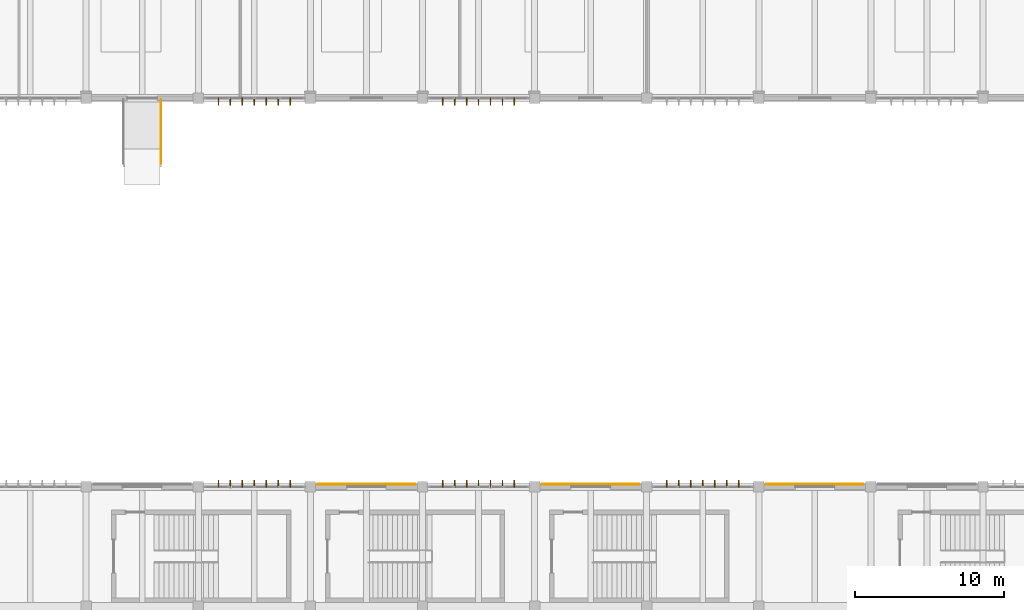
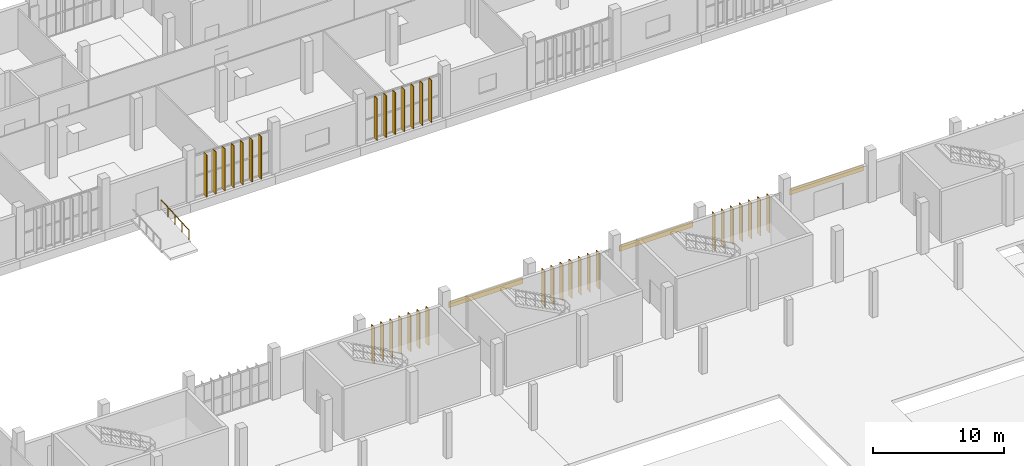
# One storey, part 65 of 72: 35 shading devices, 3 coverings, 1 railing.
"""IFC4 building model written with IfcOpenShell, lengths in metres."""

import ifcopenshell
import ifcopenshell.guid

model = None  # the IFC model being written
_history = None  # IfcOwnerHistory: only IFC2X3 demands one
_inside = {}  # id of a spatial element -> (the spatial element, [elements in it])
_under = {}  # id of a project, library or spatial element -> (it, [spatial elements below it])
_declared = {}  # id of a project -> (the project, [libraries it declares])
_typed = {}  # id of a type object -> (the type object, [elements of that type])
_made_of = {}  # id of a material, layer set ... -> (it, [elements and type objects made of it])


def new_model(schema):
    """Start an empty IFC model of exactly this schema.

    Asked for "IFC4X3", IfcOpenShell would pick the latest addendum, in which some entities
    have other attributes; the version numbers below select the first issue.
    IFC2X3 requires an IfcOwnerHistory on every rooted entity: one is made here for all.
    """
    global model, _history
    if schema == "IFC4X3":
        model = ifcopenshell.file(schema_version=(4, 3, 0, 0))
    else:
        model = ifcopenshell.file(schema=schema)
    _inside.clear()
    _under.clear()
    _declared.clear()
    _typed.clear()
    _made_of.clear()
    _history = None
    if model.schema == "IFC2X3":
        org = make("IfcOrganization", Name="unknown")
        user = make(
            "IfcPersonAndOrganization",
            ThePerson=make("IfcPerson", FamilyName="unknown"),
            TheOrganization=org,
        )
        app = make(
            "IfcApplication",
            ApplicationDeveloper=org,
            Version="unknown",
            ApplicationFullName="unknown",
            ApplicationIdentifier="unknown",
        )
        _history = make(
            "IfcOwnerHistory",
            OwningUser=user,
            OwningApplication=app,
            ChangeAction="ADDED",
            CreationDate=0,
        )
    return model


def make(cls, **values):
    """One entity of the class cls with the attributes given. An attribute that is None is left unset."""
    return model.create_entity(
        cls, **{name: value for name, value in values.items() if value is not None}
    )


def rooted(cls, **values):
    """An entity with a GlobalId (a new one), such as an element, a storey or a relation."""
    return make(cls, GlobalId=ifcopenshell.guid.new(), OwnerHistory=_history, **values)


def si_unit(unit_type, name, prefix=None):
    """IfcSIUnit, for example si_unit("LENGTHUNIT", "METRE", prefix="MILLI")."""
    return make("IfcSIUnit", UnitType=unit_type, Prefix=prefix, Name=name)


def assignment(units):
    """IfcUnitAssignment: the units of a project."""
    return None if units is None else make("IfcUnitAssignment", Units=units)


def point(xyz):
    """IfcCartesianPoint."""
    return None if xyz is None else make("IfcCartesianPoint", Coordinates=xyz)


def direction(xyz):
    """IfcDirection."""
    return None if xyz is None else make("IfcDirection", DirectionRatios=xyz)


def frame(location, z_axis=None, x_axis=None):
    """IfcAxis2Placement3D, a coordinate frame: its origin and axes. An axis left out is left unset."""
    return make(
        "IfcAxis2Placement3D",
        Location=point(location),
        Axis=direction(z_axis),
        RefDirection=direction(x_axis),
    )


def frame_2d(location, x_axis=None):
    """IfcAxis2Placement2D, a coordinate frame in the plane: its origin and x axis."""
    return make(
        "IfcAxis2Placement2D", Location=point(location), RefDirection=direction(x_axis)
    )


def origin():
    """The frame at (0, 0, 0) with its axes left unset."""
    return frame((0.0, 0.0, 0.0))


def origin_2d():
    """The frame at (0, 0) in the plane with its x axis left unset."""
    return frame_2d((0.0, 0.0))


def place(relative_to, where):
    """IfcLocalPlacement: puts the frame where relative to a parent placement (None: the world)."""
    return make(
        "IfcLocalPlacement", PlacementRelTo=relative_to, RelativePlacement=where
    )


def context(
    kind, dimensions, precision=None, world=None, true_north=None, identifier=None
):
    """IfcGeometricRepresentationContext, for example the 3D "Model" context."""
    return make(
        "IfcGeometricRepresentationContext",
        ContextIdentifier=identifier,
        ContextType=kind,
        CoordinateSpaceDimension=dimensions,
        Precision=precision,
        WorldCoordinateSystem=world,
        TrueNorth=true_north,
    )


def subcontext(parent, identifier, kind, view, scale=None):
    """IfcGeometricRepresentationSubContext, for example "Body" below "Model"."""
    return make(
        "IfcGeometricRepresentationSubContext",
        ContextIdentifier=identifier,
        ContextType=kind,
        ParentContext=parent,
        TargetScale=scale,
        TargetView=view,
    )


def project(units=None, contexts=None):
    """IfcProject with its units and contexts."""
    return rooted(
        "IfcProject",
        Name="project",
        RepresentationContexts=contexts,
        UnitsInContext=assignment(units),
    )


def spatial(cls, under=None, at=None, **own):
    """A site, building, storey or space (cls), placed at a placement, below another one or the project."""
    s = rooted(cls, ObjectPlacement=at, **own)
    if under is not None:
        _under.setdefault(under.id(), (under, []))[1].append(s)
    return s


def profile(cls, at=None, kind="AREA", **sizes):
    """A parametric profile (cls). Its sizes go by their IFC names, for example OverallWidth=200.0."""
    return make(cls, ProfileType=kind, Position=at, **sizes)


def rectangle(**sizes):
    """IfcRectangleProfileDef."""
    return profile("IfcRectangleProfileDef", **sizes)


def circle(**sizes):
    """IfcCircleProfileDef."""
    return profile("IfcCircleProfileDef", **sizes)


def extrude(swept, where, along, depth):
    """IfcExtrudedAreaSolid: the profile swept, set in the frame where, extruded along a direction by depth."""
    return make(
        "IfcExtrudedAreaSolid",
        SweptArea=swept,
        Position=where,
        ExtrudedDirection=direction(along),
        Depth=depth,
    )


def shape(context_of_items, identifier, shape_type, items):
    """IfcShapeRepresentation: the items that make up one representation, for example the "Body"."""
    return make(
        "IfcShapeRepresentation",
        ContextOfItems=context_of_items,
        RepresentationIdentifier=identifier,
        RepresentationType=shape_type,
        Items=items,
    )


def material(Name=None, Category=None):
    """IfcMaterial."""
    return make("IfcMaterial", Name=Name, Category=Category)


def layer(
    of_material, thickness, ventilated=None, Name=None, Category=None, Priority=None
):
    """IfcMaterialLayer: one layer of a wall or slab, of a material (None: an air gap)."""
    return make(
        "IfcMaterialLayer",
        Material=of_material,
        LayerThickness=thickness,
        IsVentilated=ventilated,
        Name=Name,
        Category=Category,
        Priority=Priority,
    )


def layer_set(layers, Name=None):
    """IfcMaterialLayerSet."""
    return make("IfcMaterialLayerSet", MaterialLayers=layers, LayerSetName=Name)


def material_profile(
    of_material, cross_section, Name=None, Category=None, Priority=None
):
    """IfcMaterialProfile: a cross section and its material."""
    return make(
        "IfcMaterialProfile",
        Name=Name,
        Material=of_material,
        Profile=cross_section,
        Priority=Priority,
        Category=Category,
    )


def profile_set(profiles, Name=None, composite=None):
    """IfcMaterialProfileSet."""
    return make(
        "IfcMaterialProfileSet",
        Name=Name,
        MaterialProfiles=profiles,
        CompositeProfile=composite,
    )


def made_of(thing, what):
    """Note that an element or type object is made of a material, layer set ...; save() writes the relation."""
    if what is not None:
        _made_of.setdefault(what.id(), (what, []))[1].append(thing)
    return thing


def type_object(cls, material=None, **own):
    """A type object (cls), such as IfcWallType, which elements share."""
    return made_of(rooted(cls, **own), material)


def element(
    cls,
    number,
    at=None,
    inside=None,
    cuts=None,
    type_object=None,
    material=None,
    context=None,
    identifier="Body",
    shape_type=None,
    held_by="IfcProductDefinitionShape",
    body=None,
    shapes=None,
    **own,
):
    """One element of the class cls, such as IfcWall. Its Tag is "e" and its number.

    at: its placement. inside: the storey or other place that contains it. cuts: it is an
    opening in that element (IfcRelVoidsElement). A single representation is given by context,
    identifier, shape_type and body (its items); several are given by shapes. held_by: the class
    of the entity that holds the representations. save() writes the other relations.
    """
    e = rooted(cls, Tag="e%d" % number, ObjectPlacement=at, **own)
    if body is not None:
        shapes = [shape(context, identifier, shape_type, body)]
    if shapes is not None:
        e.Representation = make(held_by, Representations=shapes)
    if inside is not None:
        _inside.setdefault(inside.id(), (inside, []))[1].append(e)
    if cuts is not None:
        rooted(
            "IfcRelVoidsElement", RelatingBuildingElement=cuts, RelatedOpeningElement=e
        )
    if type_object is not None:
        _typed.setdefault(type_object.id(), (type_object, []))[1].append(e)
    return made_of(e, material)


def aggregate(whole, parts):
    """IfcRelAggregates: a whole, such as a stair, and the parts it consists of."""
    return rooted("IfcRelAggregates", RelatingObject=whole, RelatedObjects=parts)


def save(model, path):
    """Write the relations noted so far, then the file.

    IfcRelAggregates (storeys below a building ...), IfcRelContainedInSpatialStructure (elements
    in a storey), IfcRelDefinesByType, IfcRelAssociatesMaterial and IfcRelDeclares: one each for
    every whole, place, type object, material and project.
    """
    for whole, parts in _under.values():
        aggregate(whole, parts)
    for where, things in _inside.values():
        rooted(
            "IfcRelContainedInSpatialStructure",
            RelatedElements=things,
            RelatingStructure=where,
        )
    for kind, things in _typed.values():
        rooted("IfcRelDefinesByType", RelatedObjects=things, RelatingType=kind)
    for what, things in _made_of.values():
        rooted("IfcRelAssociatesMaterial", RelatedObjects=things, RelatingMaterial=what)
    for by, libraries in _declared.values():
        rooted("IfcRelDeclares", RelatingContext=by, RelatedDefinitions=libraries)
    model.write(path)


model = new_model("IFC4")

# Units and contexts
model_context = context("Model", 3, precision=1e-05, world=origin(), true_north=direction((0.0, 1.0)))
body_context = subcontext(model_context, "Body", "Model", "MODEL_VIEW")
ifc_project = project(units=[si_unit("LENGTHUNIT", "METRE"), si_unit("AREAUNIT", "SQUARE_METRE"), si_unit("VOLUMEUNIT", "CUBIC_METRE"), si_unit("PLANEANGLEUNIT", "RADIAN"), si_unit("MASSUNIT", "GRAM", prefix="KILO")], contexts=[model_context])

# Site, building, storey
site_placement = place(None, origin())
site = spatial("IfcSite", under=ifc_project, at=site_placement, CompositionType="ELEMENT")
building_placement = place(site_placement, origin())
building = spatial("IfcBuilding", under=site, at=building_placement, Name="Vourika Railside Aquatics Centre", CompositionType="ELEMENT")
storey_placement = place(building_placement, origin())
storey = spatial("IfcBuildingStorey", under=building, at=storey_placement, Name="L00", CompositionType="ELEMENT", Elevation=0.0)

# Coverings
ifc_material_1 = material(Name="Bronze-anodized aluminium rainscreen", Category="aluminium")
ifc_layer = layer(ifc_material_1, 0.044921875, Name="COV-CLAD-45")
ifc_layer_set = layer_set([ifc_layer], Name="Bronze-anodized aluminium rainscreen")
covering_type = type_object("IfcCoveringType", Name="COV-CLAD-45", PredefinedType="CLADDING", material=ifc_layer_set)
for number, where, z_axis, x_axis, name in (
    (1, (77.25, 66.179931640625, 2.7548828125), (0.0, 0.0, 1.0), (-1.0, 0.0, 0.0), "Perforated Bronze Rainscreen Band CL-004"),
    (2, (92.25, 66.179931640625, 2.7548828125), (0.0, 0.0, 1.0), (-1.0, 0.0, 0.0), "Perforated Bronze Rainscreen Band CL-005"),
    (3, (107.25, 66.179931640625, 2.7548828125), (0.0, 0.0, 1.0), (-1.0, 0.0, 0.0), "Perforated Bronze Rainscreen Band CL-006"),
):
    element("IfcCovering", number, at=place(storey_placement, frame(where, z_axis=z_axis, x_axis=x_axis)), inside=storey, type_object=covering_type, Name=name, PredefinedType="CLADDING", context=body_context, shape_type="SweptSolid", body=[
        extrude(rectangle(XDim=6.5, YDim=0.044921875, at=origin_2d()), origin(), (0.0, 0.0, 1.0), 0.550048828125),
    ])

# Railing
ifc_material_2 = material(Name="Duplex stainless steel EN 1.4462", Category="steel")
railing_type = type_object("IfcRailingType", Name="RL-HAND-920", PredefinedType="HANDRAIL", material=ifc_material_2)
railing_placement = place(storey_placement, frame((63.5, 87.64990234375, -0.23681640625)))
element("IfcRailing", 4, at=railing_placement, inside=storey, type_object=railing_type, Name="Monsoon Courtyard Clinic Accessible Ramp AR2 Handrail R", PredefinedType="HANDRAIL", context=body_context, shape_type="SweptSolid", body=[
    extrude(circle(Radius=0.02392578125, at=origin_2d()), frame((0.0, 0.0, 0.89599609375), z_axis=(0.0, 0.998598361492, 0.052927426021), x_axis=(-1.0, 0.0, 0.0)), (0.0, 0.0, 1.0), 4.276123046875),
    extrude(circle(Radius=0.02099609375, at=origin_2d()), origin(), (0.0, 0.0, 1.0), 0.871826171875),
    extrude(circle(Radius=0.02099609375, at=origin_2d()), frame((0.0, 1.0673828125, 0.056640625)), (0.0, 0.0, 1.0), 0.871826171875),
    extrude(circle(Radius=0.02099609375, at=origin_2d()), frame((0.0, 2.135009765625, 0.11328125)), (0.0, 0.0, 1.0), 0.871826171875),
    extrude(circle(Radius=0.02099609375, at=origin_2d()), frame((0.0, 3.20263671875, 0.169677734375)), (0.0, 0.0, 1.0), 0.871826171875),
    extrude(circle(Radius=0.02099609375, at=origin_2d()), frame((0.0, 4.27001953125, 0.226318359375)), (0.0, 0.0, 1.0), 0.871826171875),
])

# Shading devices
ifc_material_3 = material(Name="Bronze-anodized extruded aluminium", Category="aluminium")
ifc_material_profile = material_profile(ifc_material_3, rectangle(XDim=0.06005859375, YDim=0.47998046875, at=origin_2d()), Name="ALU-FIN 60x480")
ifc_profile_set = profile_set([ifc_material_profile], Name="Bronze-anodized extruded aluminium")
shading_device_type = type_object("IfcShadingDeviceType", Name="SHD-FIN-F48A", PredefinedType="USERDEFINED", material=ifc_profile_set)
for number, where, z_axis, x_axis, name in (
    (5, (67.35009765625, 66.215087890625, 0.0), (0.0, 0.0, 1.0), (1.0, 0.0, 0.0), "Vertical Solar Fin VSF-0210"),
    (6, (68.14990234375, 66.215087890625, 0.0), (0.0, 0.0, 1.0), (1.0, 0.0, 0.0), "Vertical Solar Fin VSF-0211"),
    (7, (68.949951171875, 66.215087890625, 0.0), (0.0, 0.0, 1.0), (1.0, 0.0, 0.0), "Vertical Solar Fin VSF-0212"),
    (8, (69.75, 66.215087890625, 0.0), (0.0, 0.0, 1.0), (1.0, 0.0, 0.0), "Vertical Solar Fin VSF-0213"),
    (9, (70.550048828125, 66.215087890625, 0.0), (0.0, 0.0, 1.0), (1.0, 0.0, 0.0), "Vertical Solar Fin VSF-0214"),
    (10, (71.35009765625, 66.215087890625, 0.0), (0.0, 0.0, 1.0), (1.0, 0.0, 0.0), "Vertical Solar Fin VSF-0215"),
    (11, (72.14990234375, 66.215087890625, 0.0), (0.0, 0.0, 1.0), (1.0, 0.0, 0.0), "Vertical Solar Fin VSF-0216"),
    (12, (82.35009765625, 66.215087890625, 0.0), (0.0, 0.0, 1.0), (1.0, 0.0, 0.0), "Vertical Solar Fin VSF-0227"),
    (13, (83.14990234375, 66.215087890625, 0.0), (0.0, 0.0, 1.0), (1.0, 0.0, 0.0), "Vertical Solar Fin VSF-0228"),
    (14, (83.949951171875, 66.215087890625, 0.0), (0.0, 0.0, 1.0), (1.0, 0.0, 0.0), "Vertical Solar Fin VSF-0229"),
    (15, (84.75, 66.215087890625, 0.0), (0.0, 0.0, 1.0), (1.0, 0.0, 0.0), "Vertical Solar Fin VSF-0230"),
    (16, (85.550048828125, 66.215087890625, 0.0), (0.0, 0.0, 1.0), (1.0, 0.0, 0.0), "Vertical Solar Fin VSF-0231"),
    (17, (86.35009765625, 66.215087890625, 0.0), (0.0, 0.0, 1.0), (1.0, 0.0, 0.0), "Vertical Solar Fin VSF-0232"),
    (18, (87.14990234375, 66.215087890625, 0.0), (0.0, 0.0, 1.0), (1.0, 0.0, 0.0), "Vertical Solar Fin VSF-0233"),
    (19, (97.35009765625, 66.215087890625, 0.0), (0.0, 0.0, 1.0), (1.0, 0.0, 0.0), "Vertical Solar Fin VSF-0244"),
    (20, (98.14990234375, 66.215087890625, 0.0), (0.0, 0.0, 1.0), (1.0, 0.0, 0.0), "Vertical Solar Fin VSF-0245"),
    (21, (98.949951171875, 66.215087890625, 0.0), (0.0, 0.0, 1.0), (1.0, 0.0, 0.0), "Vertical Solar Fin VSF-0246"),
    (22, (99.75, 66.215087890625, 0.0), (0.0, 0.0, 1.0), (1.0, 0.0, 0.0), "Vertical Solar Fin VSF-0247"),
    (23, (100.550048828125, 66.215087890625, 0.0), (0.0, 0.0, 1.0), (1.0, 0.0, 0.0), "Vertical Solar Fin VSF-0248"),
    (24, (101.35009765625, 66.215087890625, 0.0), (0.0, 0.0, 1.0), (1.0, 0.0, 0.0), "Vertical Solar Fin VSF-0249"),
    (25, (102.14990234375, 66.215087890625, 0.0), (0.0, 0.0, 1.0), (1.0, 0.0, 0.0), "Vertical Solar Fin VSF-0250"),
):
    element("IfcShadingDevice", number, at=place(storey_placement, frame(where, z_axis=z_axis, x_axis=x_axis)), inside=storey, type_object=shading_device_type, Name=name, ObjectType="FIN", PredefinedType="USERDEFINED", context=body_context, shape_type="SweptSolid", body=[
        extrude(rectangle(XDim=0.06005859375, YDim=0.47998046875, at=origin_2d()), origin(), (0.0, 0.0, 1.0), 3.3798828125),
    ])
for number, where, z_axis, x_axis, name in (
    (26, (67.35009765625, 91.784912109375, 0.0), (0.0, 0.0, 1.0), (-1.0, 0.0, 0.0), "Vertical Solar Fin VSF-0656"),
    (27, (68.14990234375, 91.784912109375, 0.0), (0.0, 0.0, 1.0), (-1.0, 0.0, 0.0), "Vertical Solar Fin VSF-0657"),
    (28, (68.949951171875, 91.784912109375, 0.0), (0.0, 0.0, 1.0), (-1.0, 0.0, 0.0), "Vertical Solar Fin VSF-0658"),
    (29, (69.75, 91.784912109375, 0.0), (0.0, 0.0, 1.0), (-1.0, 0.0, 0.0), "Vertical Solar Fin VSF-0659"),
    (30, (70.550048828125, 91.784912109375, 0.0), (0.0, 0.0, 1.0), (-1.0, 0.0, 0.0), "Vertical Solar Fin VSF-0660"),
    (31, (71.35009765625, 91.784912109375, 0.0), (0.0, 0.0, 1.0), (-1.0, 0.0, 0.0), "Vertical Solar Fin VSF-0661"),
    (32, (72.14990234375, 91.784912109375, 0.0), (0.0, 0.0, 1.0), (-1.0, 0.0, 0.0), "Vertical Solar Fin VSF-0662"),
    (33, (82.35009765625, 91.784912109375, 0.0), (0.0, 0.0, 1.0), (-1.0, 0.0, 0.0), "Vertical Solar Fin VSF-0663"),
    (34, (83.14990234375, 91.784912109375, 0.0), (0.0, 0.0, 1.0), (-1.0, 0.0, 0.0), "Vertical Solar Fin VSF-0664"),
    (35, (83.949951171875, 91.784912109375, 0.0), (0.0, 0.0, 1.0), (-1.0, 0.0, 0.0), "Vertical Solar Fin VSF-0665"),
    (36, (84.75, 91.784912109375, 0.0), (0.0, 0.0, 1.0), (-1.0, 0.0, 0.0), "Vertical Solar Fin VSF-0666"),
    (37, (85.550048828125, 91.784912109375, 0.0), (0.0, 0.0, 1.0), (-1.0, 0.0, 0.0), "Vertical Solar Fin VSF-0667"),
    (38, (86.35009765625, 91.784912109375, 0.0), (0.0, 0.0, 1.0), (-1.0, 0.0, 0.0), "Vertical Solar Fin VSF-0668"),
    (39, (87.14990234375, 91.784912109375, 0.0), (0.0, 0.0, 1.0), (-1.0, 0.0, 0.0), "Vertical Solar Fin VSF-0669"),
):
    element("IfcShadingDevice", number, at=place(storey_placement, frame(where, z_axis=z_axis, x_axis=x_axis)), inside=storey, type_object=shading_device_type, Name=name, ObjectType="FIN", PredefinedType="USERDEFINED", context=body_context, shape_type="SweptSolid", body=[
        extrude(rectangle(XDim=0.06005859375, YDim=0.47998046875, at=origin_2d()), origin(), (0.0, 0.0, 1.0), 3.929931640625),
    ])

save(model, "model.ifc")
